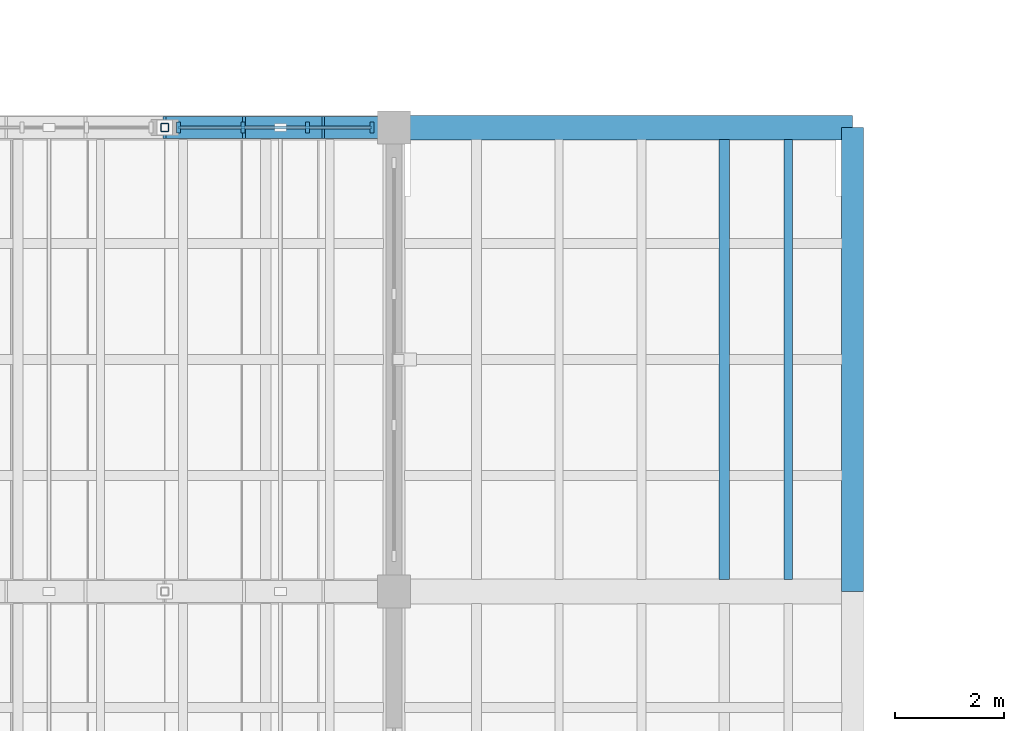
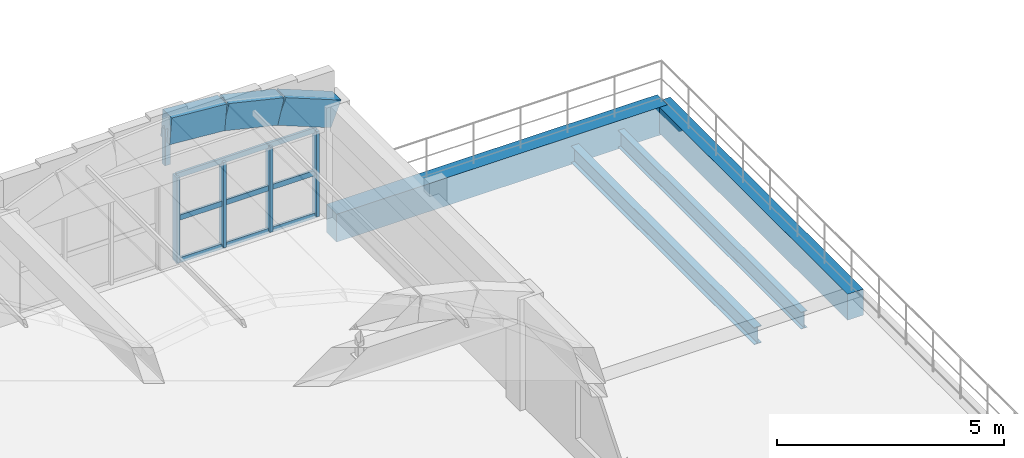
# One storey, part 16 of 40: 11 members, 4 beams, 1 element without a shape of its own.
"""IFC4 building model written with IfcOpenShell, lengths in metres."""

from ifc_helpers import new_model, si_unit, direction, frame, origin, origin_2d, place, context, subcontext, project, spatial, rectangle, hollow_rectangle, i_section, extrude, material, layer, layer_set, material_profile, profile_set, type_object, element, aggregate, save


model = new_model("IFC4")

# Units and contexts
model_context = context("Model", 3, precision=1e-05, world=origin(), true_north=direction((0.0, 1.0)))
body_context = subcontext(model_context, "Body", "Model", "MODEL_VIEW")
ifc_project = project(units=[si_unit("LENGTHUNIT", "METRE"), si_unit("AREAUNIT", "SQUARE_METRE"), si_unit("VOLUMEUNIT", "CUBIC_METRE"), si_unit("PLANEANGLEUNIT", "RADIAN"), si_unit("MASSUNIT", "GRAM", prefix="KILO")], contexts=[model_context])

# Site, building, storey
site_placement = place(None, origin())
site = spatial("IfcSite", under=ifc_project, at=site_placement, CompositionType="ELEMENT")
building_placement = place(site_placement, origin())
building = spatial("IfcBuilding", under=site, at=building_placement, Name="Trellovar Central Fire Station", CompositionType="ELEMENT")
storey_placement = place(building_placement, frame((0.0, 0.0, 12.75)))
storey = spatial("IfcBuildingStorey", under=building, at=storey_placement, Name="L04", CompositionType="ELEMENT", Elevation=12.75)

# Beams
ifc_material_1 = material(Name="Concrete C40/50", Category="concrete")
ifc_material_profile_1 = material_profile(ifc_material_1, rectangle(XDim=0.449951171875, YDim=0.75, at=origin_2d()), Name="RC450X750")
ifc_profile_set_1 = profile_set([ifc_material_profile_1], Name="Concrete C40/50")
beam_type_1 = type_object("IfcBeamType", Name="BM-G2", PredefinedType="BEAM", material=ifc_profile_set_1)
beam_1_placement = place(storey_placement, frame((139.10009765625, 33.0, -0.375), z_axis=(1.0, 0.0, 0.0), x_axis=(0.0, 1.0, 0.0)))
element("IfcBeam", 1, at=beam_1_placement, inside=storey, type_object=beam_type_1, Name="L04 beam G-2", PredefinedType="BEAM", context=body_context, shape_type="SweptSolid", body=[
    extrude(rectangle(XDim=0.449951171875, YDim=0.75, at=origin_2d()), origin(), (0.0, 0.0, 1.0), 8.39990234375),
])
ifc_material_2 = material(Name="Concrete C40/50", Category="concrete")
ifc_material_profile_2 = material_profile(ifc_material_2, rectangle(XDim=0.39990234375, YDim=0.699951171875, at=origin_2d()), Name="RC400X700")
ifc_profile_set_2 = profile_set([ifc_material_profile_2], Name="Concrete C40/50")
beam_type_2 = type_object("IfcBeamType", Name="BM-G3", PredefinedType="BEAM", material=ifc_profile_set_2)
beam_2_placement = place(storey_placement, frame((147.5, 24.5, -0.35009765625), z_axis=(0.0, 1.0, 0.0), x_axis=(-1.0, 0.0, 0.0)))
element("IfcBeam", 2, at=beam_2_placement, inside=storey, type_object=beam_type_2, Name="L04 beam G-3", PredefinedType="BEAM", context=body_context, shape_type="SweptSolid", body=[
    extrude(rectangle(XDim=0.39990234375, YDim=0.699951171875, at=origin_2d()), origin(), (0.0, 0.0, 1.0), 8.5),
])
ifc_material_3 = material(Name="Steel ASTM A992 Grade 50", Category="steel")
ifc_material_profile_3 = material_profile(ifc_material_3, i_section(OverallWidth=0.15283203125, OverallDepth=0.45458984375, WebThickness=0.008056640625, FlangeThickness=0.01318359375, FilletRadius=0.0126953125, at=origin_2d()), Name="W18X40")
ifc_profile_set_3 = profile_set([ifc_material_profile_3], Name="Steel ASTM A992 Grade 50")
beam_type_3 = type_object("IfcBeamType", Name="BM-SW10", PredefinedType="JOIST", material=ifc_profile_set_3)
beam_3_placement = place(storey_placement, frame((146.323974609375, 24.719970703125, -0.477294921875), z_axis=(0.0, 1.0, 0.0), x_axis=(-1.0, 0.0, 0.0)))
element("IfcBeam", 3, at=beam_3_placement, inside=storey, type_object=beam_type_3, Name="L04 secondary steel deck joist", PredefinedType="JOIST", context=body_context, shape_type="SweptSolid", body=[
    extrude(i_section(OverallWidth=0.15283203125, OverallDepth=0.45458984375, WebThickness=0.008056640625, FlangeThickness=0.01318359375, FilletRadius=0.0126953125, at=origin_2d()), origin(), (0.0, 0.0, 1.0), 8.06005859375),
])
ifc_material_4 = material(Name="Steel ASTM A992 Grade 50", Category="steel")
ifc_material_profile_4 = material_profile(ifc_material_4, i_section(OverallWidth=0.1904296875, OverallDepth=0.457275390625, WebThickness=0.009033203125, FlangeThickness=0.014404296875, FilletRadius=0.0126953125, at=origin_2d()), Name="W18X50")
ifc_profile_set_4 = profile_set([ifc_material_profile_4], Name="Steel ASTM A992 Grade 50")
beam_type_4 = type_object("IfcBeamType", Name="BM-SW9", PredefinedType="JOIST", material=ifc_profile_set_4)
beam_4_placement = place(storey_placement, frame((145.14794921875, 24.719970703125, -0.478515625), z_axis=(0.0, 1.0, 0.0), x_axis=(-1.0, 0.0, 0.0)))
element("IfcBeam", 4, at=beam_4_placement, inside=storey, type_object=beam_type_4, Name="L04 secondary steel deck joist", PredefinedType="JOIST", context=body_context, shape_type="SweptSolid", body=[
    extrude(i_section(OverallWidth=0.1904296875, OverallDepth=0.457275390625, WebThickness=0.009033203125, FlangeThickness=0.014404296875, FilletRadius=0.0126953125, at=origin_2d()), origin(), (0.0, 0.0, 1.0), 8.06005859375),
])

# Curtain wall, members
ifc_material_5 = material(Name="Thermally broken bronze anodized aluminum", Category="aluminium")
ifc_layer = layer(ifc_material_5, 0.159912109375)
ifc_layer_set = layer_set([ifc_layer], Name="Thermally broken bronze anodized aluminum")
curtain_wall_type = type_object("IfcCurtainWallType", Name="CW-09", PredefinedType="NOTDEFINED", material=ifc_layer_set)
curtain_wall_placement = place(storey_placement, origin())
curtain_wall = element("IfcCurtainWall", 5, at=curtain_wall_placement, inside=storey, type_object=curtain_wall_type, Name="L04 curtain wall CW-9", PredefinedType="NOTDEFINED")
ifc_material_6 = material(Name="Thermally broken bronze anodized aluminum", Category="aluminium")
ifc_material_profile_5 = material_profile(ifc_material_6, rectangle(XDim=0.074951171875, YDim=0.199951171875, at=origin_2d()), Name="ALU75X200")
ifc_profile_set_5 = profile_set([ifc_material_profile_5], Name="Thermally broken bronze anodized aluminum")
member_type_1 = type_object("IfcMemberType", Name="CWM-1", PredefinedType="MULLION", material=ifc_profile_set_5)
member_1_placement = place(storey_placement, frame((138.699951171875, 33.0, 0.0), z_axis=(0.0, 0.0, 1.0), x_axis=(1.0, 0.0, 0.0)))
member_1 = element("IfcMember", 6, at=member_1_placement, type_object=member_type_1, Name="CW3-L04-0097 mullion 1", PredefinedType="MULLION", context=body_context, shape_type="SweptSolid", body=[
    extrude(rectangle(XDim=0.074951171875, YDim=0.199951171875, at=origin_2d()), origin(), (0.0, 0.0, 1.0), 2.2900390625),
])
member_2_placement = place(storey_placement, frame((137.5166015625, 33.0, 0.0), z_axis=(0.0, 0.0, 1.0), x_axis=(1.0, 0.0, 0.0)))
member_2 = element("IfcMember", 7, at=member_2_placement, type_object=member_type_1, Name="CW3-L04-0097 mullion 2", PredefinedType="MULLION", context=body_context, shape_type="SweptSolid", body=[
    extrude(rectangle(XDim=0.074951171875, YDim=0.199951171875, at=origin_2d()), origin(), (0.0, 0.0, 1.0), 2.2900390625),
])
member_3_placement = place(storey_placement, frame((136.333251953125, 33.0, 0.0), z_axis=(0.0, 0.0, 1.0), x_axis=(1.0, 0.0, 0.0)))
member_3 = element("IfcMember", 8, at=member_3_placement, type_object=member_type_1, Name="CW3-L04-0097 mullion 3", PredefinedType="MULLION", context=body_context, shape_type="SweptSolid", body=[
    extrude(rectangle(XDim=0.074951171875, YDim=0.199951171875, at=origin_2d()), origin(), (0.0, 0.0, 1.0), 2.2900390625),
])
member_4_placement = place(storey_placement, frame((135.14990234375, 33.0, 0.0), z_axis=(0.0, 0.0, 1.0), x_axis=(1.0, 0.0, 0.0)))
member_4 = element("IfcMember", 9, at=member_4_placement, type_object=member_type_1, Name="CW3-L04-0097 mullion 4", PredefinedType="MULLION", context=body_context, shape_type="SweptSolid", body=[
    extrude(rectangle(XDim=0.074951171875, YDim=0.199951171875, at=origin_2d()), origin(), (0.0, 0.0, 1.0), 2.2900390625),
])
ifc_material_7 = material(Name="Thermally broken bronze anodized aluminum", Category="aluminium")
ifc_material_profile_6 = material_profile(ifc_material_7, rectangle(XDim=0.06005859375, YDim=0.139892578125, at=origin_2d()), Name="ALU60X140")
ifc_profile_set_6 = profile_set([ifc_material_profile_6], Name="Thermally broken bronze anodized aluminum")
member_type_2 = type_object("IfcMemberType", Name="CWT-1", PredefinedType="USERDEFINED", material=ifc_profile_set_6)
member_5_placement = place(storey_placement, frame((138.699951171875, 33.0, 0.0), z_axis=(-1.0, 0.0, 0.0), x_axis=(0.0, -1.0, 0.0)))
member_5 = element("IfcMember", 10, at=member_5_placement, type_object=member_type_2, Name="CW3-L04-0097 transom 1", ObjectType="TRANSOM", PredefinedType="USERDEFINED", context=body_context, shape_type="SweptSolid", body=[
    extrude(rectangle(XDim=0.06005859375, YDim=0.139892578125, at=origin_2d()), origin(), (0.0, 0.0, 1.0), 3.550048828125),
])
member_6_placement = place(storey_placement, frame((138.699951171875, 33.0, 1.14501953125), z_axis=(-1.0, 0.0, 0.0), x_axis=(0.0, -1.0, 0.0)))
member_6 = element("IfcMember", 11, at=member_6_placement, type_object=member_type_2, Name="CW3-L04-0097 transom 2", ObjectType="TRANSOM", PredefinedType="USERDEFINED", context=body_context, shape_type="SweptSolid", body=[
    extrude(rectangle(XDim=0.06005859375, YDim=0.139892578125, at=origin_2d()), origin(), (0.0, 0.0, 1.0), 3.550048828125),
])
member_7_placement = place(storey_placement, frame((138.699951171875, 33.0, 2.2900390625), z_axis=(-1.0, 0.0, 0.0), x_axis=(0.0, -1.0, 0.0)))
member_7 = element("IfcMember", 12, at=member_7_placement, type_object=member_type_2, Name="CW3-L04-0097 transom 3", ObjectType="TRANSOM", PredefinedType="USERDEFINED", context=body_context, shape_type="SweptSolid", body=[
    extrude(rectangle(XDim=0.06005859375, YDim=0.139892578125, at=origin_2d()), origin(), (0.0, 0.0, 1.0), 3.550048828125),
])
aggregate(curtain_wall, [member_1, member_2, member_3, member_4, member_5, member_6, member_7])

# Members
ifc_material_8 = material(Name="Concrete C40/50", Category="concrete")
ifc_material_profile_7 = material_profile(ifc_material_8, rectangle(XDim=0.39990234375, YDim=0.699951171875, at=origin_2d()), Name="RC400X700")
ifc_profile_set_7 = profile_set([ifc_material_profile_7], Name="Concrete C40/50")
member_type_3 = type_object("IfcMemberType", Name="MEM-LR1", PredefinedType="CHORD", material=ifc_profile_set_7)
member_8_placement = place(storey_placement, frame((134.89990234375, 33.0, 3.679931640625), z_axis=(0.996867568235, 0.0, -0.07908888292), x_axis=(0.0, 1.0, 0.0)))
element("IfcMember", 13, at=member_8_placement, inside=storey, type_object=member_type_3, Name="V5 Catalan vault rib 4 chord 4", PredefinedType="CHORD", context=body_context, shape_type="SweptSolid", body=[
    extrude(rectangle(XDim=0.39990234375, YDim=0.699951171875, at=origin_2d()), origin(), (0.0, 0.0, 1.0), 1.404541015625),
])
member_9_placement = place(storey_placement, frame((136.300048828125, 33.0, 3.56884765625), z_axis=(0.972815315724, 0.0, -0.23158229961), x_axis=(0.0, 1.0, 0.0)))
element("IfcMember", 14, at=member_9_placement, inside=storey, type_object=member_type_3, Name="V5 Catalan vault rib 4 chord 5", PredefinedType="CHORD", context=body_context, shape_type="SweptSolid", body=[
    extrude(rectangle(XDim=0.39990234375, YDim=0.699951171875, at=origin_2d()), origin(), (0.0, 0.0, 1.0), 1.43896484375),
])
member_10_placement = place(storey_placement, frame((137.699951171875, 33.0, 3.235595703125), z_axis=(0.929479245072, 0.0, -0.368874413563), x_axis=(0.0, 1.0, 0.0)))
element("IfcMember", 15, at=member_10_placement, inside=storey, type_object=member_type_3, Name="V5 Catalan vault rib 4 chord 6", PredefinedType="CHORD", context=body_context, shape_type="SweptSolid", body=[
    extrude(rectangle(XDim=0.39990234375, YDim=0.699951171875, at=origin_2d()), origin(), (0.0, 0.0, 1.0), 1.50634765625),
])
ifc_material_9 = material(Name="Steel ASTM A500 Grade C", Category="steel")
ifc_material_profile_8 = material_profile(ifc_material_9, hollow_rectangle(XDim=0.15234375, YDim=0.15234375, WallThickness=0.0087890625, InnerFilletRadius=0.0087890625, OuterFilletRadius=0.017822265625, at=origin_2d()), Name="HSS6X6X3/8")
ifc_profile_set_8 = profile_set([ifc_material_profile_8], Name="Steel ASTM A500 Grade C")
member_type_4 = type_object("IfcMemberType", Name="MEM-ST1", PredefinedType="STRUT", material=ifc_profile_set_8)
member_11_placement = place(storey_placement, frame((134.89990234375, 33.0, 2.699951171875), z_axis=(0.0, 0.0, 1.0), x_axis=(1.0, 0.0, 0.0)))
element("IfcMember", 16, at=member_11_placement, inside=storey, type_object=member_type_4, Name="V5 Catalan vault apex post 4", PredefinedType="STRUT", context=body_context, shape_type="SweptSolid", body=[
    extrude(hollow_rectangle(XDim=0.15234375, YDim=0.15234375, WallThickness=0.0087890625, InnerFilletRadius=0.0087890625, OuterFilletRadius=0.017822265625, at=origin_2d()), origin(), (0.0, 0.0, 1.0), 0.97998046875),
])

save(model, "model.ifc")
